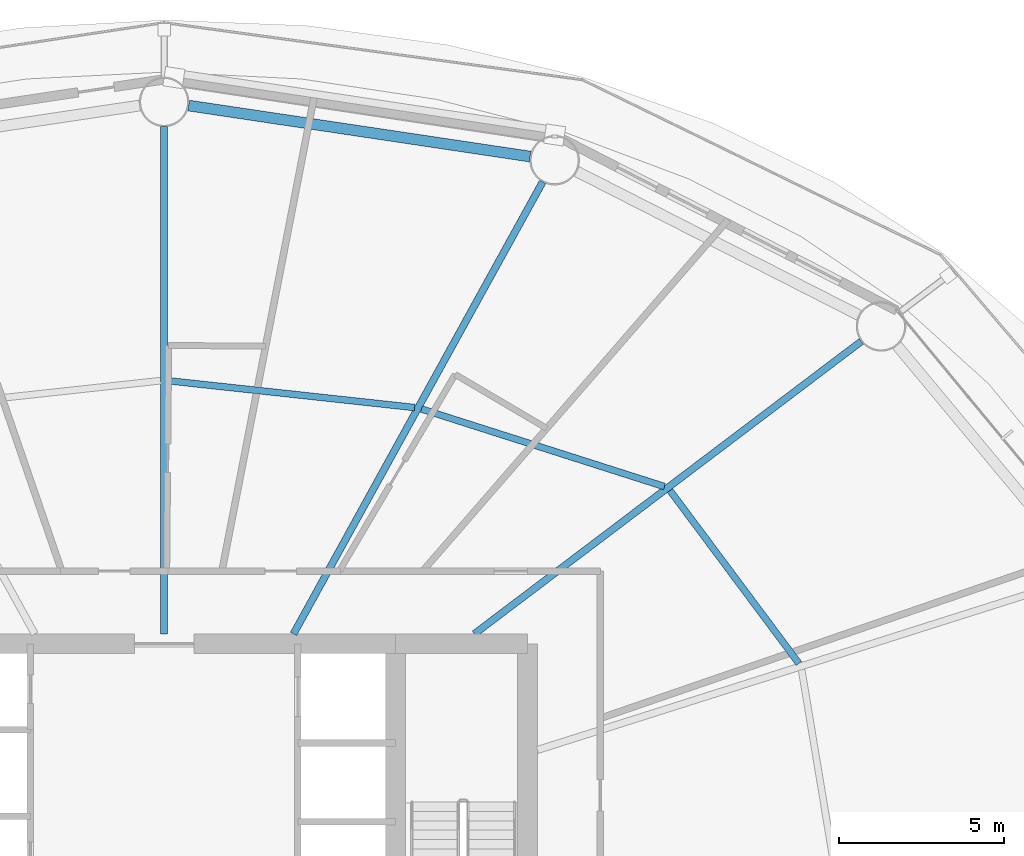
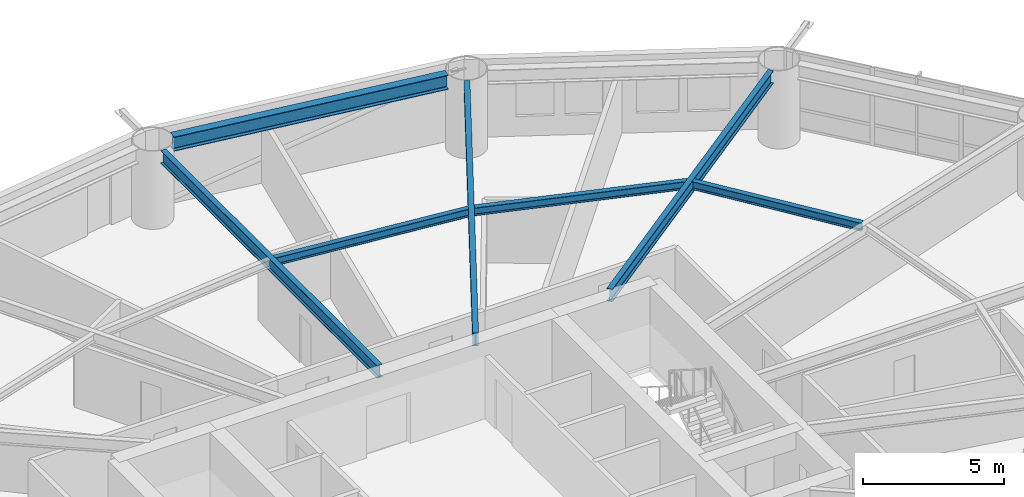
# One storey, part 13 of 26: 7 beams.
"""IFC4 building model written with IfcOpenShell, lengths in metres."""

from ifc_helpers import new_model, si_unit, direction, frame, origin, origin_2d, place, context, subcontext, project, spatial, i_section, extrude, material, material_profile, profile_set, type_object, element, save


model = new_model("IFC4")

# Units and contexts
model_context = context("Model", 3, precision=1e-05, world=origin(), true_north=direction((0.0, 1.0)))
body_context = subcontext(model_context, "Body", "Model", "MODEL_VIEW")
ifc_project = project(units=[si_unit("LENGTHUNIT", "METRE"), si_unit("AREAUNIT", "SQUARE_METRE"), si_unit("VOLUMEUNIT", "CUBIC_METRE"), si_unit("PLANEANGLEUNIT", "RADIAN"), si_unit("MASSUNIT", "GRAM", prefix="KILO")], contexts=[model_context])

# Site, building, storey
site_placement = place(None, origin())
site = spatial("IfcSite", under=ifc_project, at=site_placement, CompositionType="ELEMENT")
building_placement = place(site_placement, origin())
building = spatial("IfcBuilding", under=site, at=building_placement, Name="Sarneth Arch Tower", CompositionType="ELEMENT")
storey_placement = place(building_placement, frame((0.0, 0.0, 71.39990234375)))
storey = spatial("IfcBuildingStorey", under=building, at=storey_placement, Name="L17", CompositionType="ELEMENT", Elevation=71.39990234375)

# Beams
ifc_material_1 = material(Name="Steel S355", Category="steel")
ifc_material_profile_1 = material_profile(ifc_material_1, i_section(OverallWidth=0.202880859375, OverallDepth=0.346923828125, WebThickness=0.0078125, FlangeThickness=0.013427734375, FilletRadius=0.014892578125, at=origin_2d()), Name="W360x64")
ifc_profile_set_1 = profile_set([ifc_material_profile_1], Name="Steel S355")
beam_type_1 = type_object("IfcBeamType", Name="BM-JOIST-360C", PredefinedType="JOIST", material=ifc_profile_set_1)
beam_1_placement = place(storey_placement, frame((67.21142578125, 48.205078125, 3.20654296875), z_axis=(-0.597700490469, 0.801719479428, 0.0), x_axis=(-0.801719479428, -0.597700490469, 0.0)))
element("IfcBeam", 1, at=beam_1_placement, inside=storey, type_object=beam_type_1, Name="L17 Secondary floor joist 02", PredefinedType="JOIST", context=body_context, shape_type="SweptSolid", body=[
    extrude(i_section(OverallWidth=0.202880859375, OverallDepth=0.346923828125, WebThickness=0.0078125, FlangeThickness=0.013427734375, FilletRadius=0.014892578125, at=origin_2d()), origin(), (0.0, 0.0, 1.0), 6.5302734375),
])
beam_2_placement = place(storey_placement, frame((63.142333984375, 53.558837890625, 3.20654296875), z_axis=(-0.95266836992, 0.304011475036, 0.0), x_axis=(-0.304011475036, -0.95266836992, 0.0)))
element("IfcBeam", 2, at=beam_2_placement, inside=storey, type_object=beam_type_1, Name="L17 Secondary floor joist 03", PredefinedType="JOIST", context=body_context, shape_type="SweptSolid", body=[
    extrude(i_section(OverallWidth=0.202880859375, OverallDepth=0.346923828125, WebThickness=0.0078125, FlangeThickness=0.013427734375, FilletRadius=0.014892578125, at=origin_2d()), origin(), (0.0, 0.0, 1.0), 7.720703125),
])
beam_3_placement = place(storey_placement, frame((55.578857421875, 55.9501953125, 3.20654296875), z_axis=(-0.994129966112, 0.108192469602, 0.0), x_axis=(-0.108192469602, -0.994129966112, 0.0)))
element("IfcBeam", 3, at=beam_3_placement, inside=storey, type_object=beam_type_1, Name="L17 Secondary floor joist 04", PredefinedType="JOIST", context=body_context, shape_type="SweptSolid", body=[
    extrude(i_section(OverallWidth=0.202880859375, OverallDepth=0.346923828125, WebThickness=0.0078125, FlangeThickness=0.013427734375, FilletRadius=0.014892578125, at=origin_2d()), origin(), (0.0, 0.0, 1.0), 7.5166015625),
])
ifc_material_2 = material(Name="Steel S355", Category="steel")
ifc_material_profile_2 = material_profile(ifc_material_2, i_section(OverallWidth=0.214111328125, OverallDepth=0.549072265625, WebThickness=0.0146484375, FlangeThickness=0.023681640625, FilletRadius=0.01806640625, at=origin_2d()), Name="W530x138")
ifc_profile_set_2 = profile_set([ifc_material_profile_2], Name="Steel S355")
beam_type_2 = type_object("IfcBeamType", Name="BM-RAD-530A", PredefinedType="BEAM", material=ifc_profile_set_2)
beam_4_placement = place(storey_placement, frame((57.390380859375, 49.10009765625, 3.105712890625), z_axis=(0.79765464731, 0.603114469753, 0.0), x_axis=(-0.603114469753, 0.79765464731, 0.0)))
element("IfcBeam", 4, at=beam_4_placement, inside=storey, type_object=beam_type_2, Name="L17 Radial floor girder 03", PredefinedType="BEAM", context=body_context, shape_type="SweptSolid", body=[
    extrude(i_section(OverallWidth=0.214111328125, OverallDepth=0.549072265625, WebThickness=0.0146484375, FlangeThickness=0.023681640625, FilletRadius=0.01806640625, at=origin_2d()), origin(), (0.0, 0.0, 1.0), 14.677978515625),
])
beam_5_placement = place(storey_placement, frame((51.91455078125, 49.10009765625, 3.105712890625), z_axis=(0.482841370957, 0.875707833979, 0.0), x_axis=(-0.875707833979, 0.482841370957, 0.0)))
element("IfcBeam", 5, at=beam_5_placement, inside=storey, type_object=beam_type_2, Name="L17 Radial floor girder 04", PredefinedType="BEAM", context=body_context, shape_type="SweptSolid", body=[
    extrude(i_section(OverallWidth=0.214111328125, OverallDepth=0.549072265625, WebThickness=0.0146484375, FlangeThickness=0.023681640625, FilletRadius=0.01806640625, at=origin_2d()), origin(), (0.0, 0.0, 1.0), 15.618408203125),
])
beam_6_placement = place(storey_placement, frame((48.0, 49.10009765625, 3.105712890625), z_axis=(0.0, 1.0, 0.0), x_axis=(-1.0, 0.0, 0.0)))
element("IfcBeam", 6, at=beam_6_placement, inside=storey, type_object=beam_type_2, Name="L17 Radial floor girder 05", PredefinedType="BEAM", context=body_context, shape_type="SweptSolid", body=[
    extrude(i_section(OverallWidth=0.214111328125, OverallDepth=0.549072265625, WebThickness=0.0146484375, FlangeThickness=0.023681640625, FilletRadius=0.01806640625, at=origin_2d()), origin(), (0.0, 0.0, 1.0), 15.349853515625),
])
ifc_material_3 = material(Name="Steel S355", Category="steel")
ifc_material_profile_3 = material_profile(ifc_material_3, i_section(OverallWidth=0.326904296875, OverallDepth=0.6220703125, WebThickness=0.015380859375, FlangeThickness=0.0244140625, FilletRadius=0.01904296875, at=origin_2d()), Name="W610x195")
ifc_profile_set_3 = profile_set([ifc_material_profile_3], Name="Steel S355")
beam_type_3 = type_object("IfcBeamType", Name="BM-SPAN-610A", PredefinedType="SPANDREL", material=ifc_profile_set_3)
beam_7_placement = place(storey_placement, frame((59.076171875, 63.544921875, 3.069091796875), z_axis=(-0.989020169581, 0.147780594675, 0.0), x_axis=(-0.147780594675, -0.989020169581, 0.0)))
element("IfcBeam", 7, at=beam_7_placement, inside=storey, type_object=beam_type_3, Name="L17 Perimeter spandrel beam 04", PredefinedType="SPANDREL", context=body_context, shape_type="SweptSolid", body=[
    extrude(i_section(OverallWidth=0.326904296875, OverallDepth=0.6220703125, WebThickness=0.015380859375, FlangeThickness=0.0244140625, FilletRadius=0.01904296875, at=origin_2d()), origin(), (0.0, 0.0, 1.0), 10.44921875),
])

save(model, "model.ifc")
